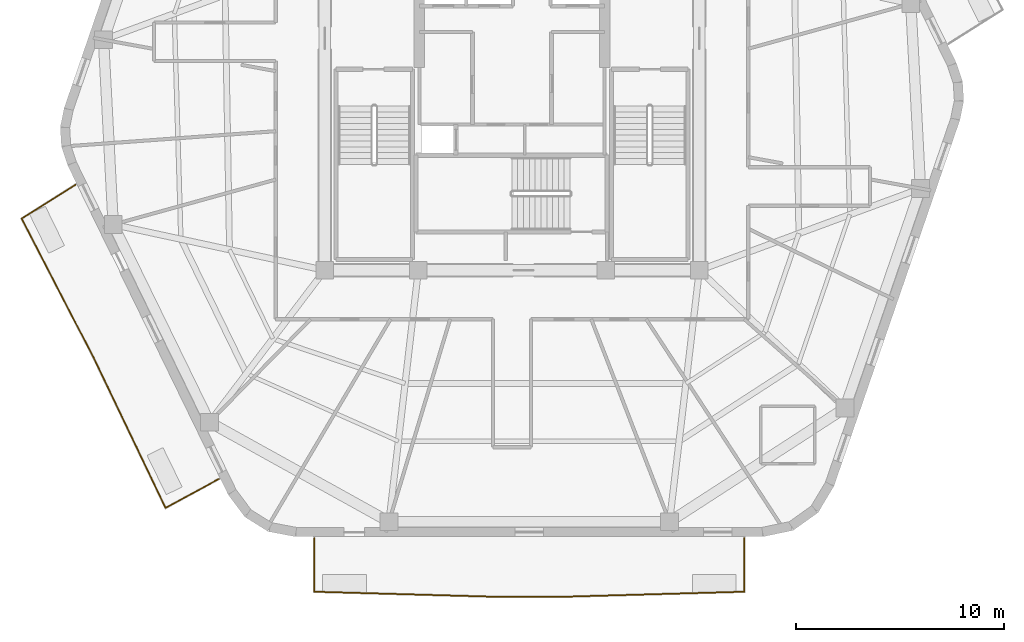
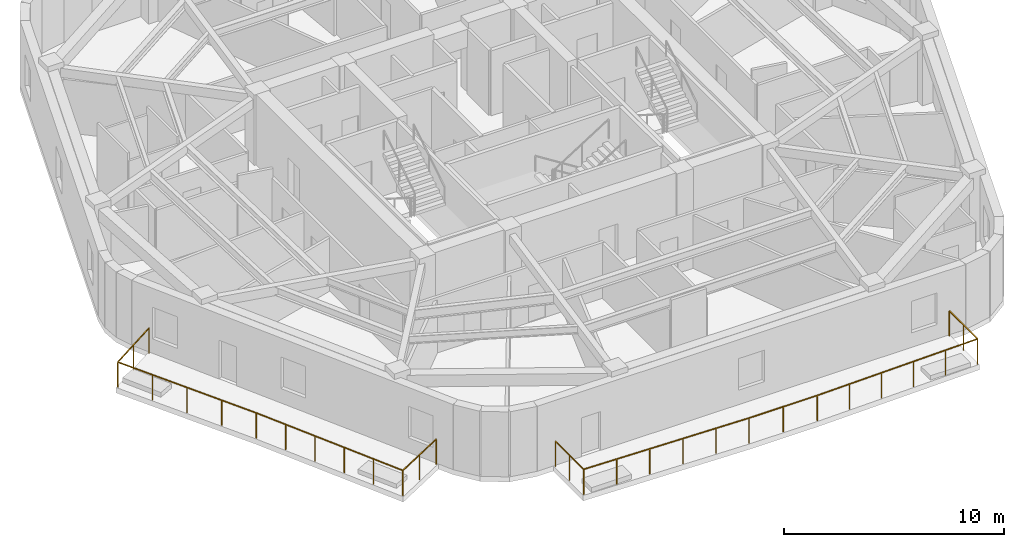
# One storey, part 7 of 9: 2 railings.
"""IFC4 building model written with IfcOpenShell, lengths in metres."""

from ifc_helpers import new_model, si_unit, direction, frame, origin, origin_2d, place, context, subcontext, project, spatial, rectangle, extrude, material, layer, layer_set, type_object, element, save


model = new_model("IFC4")

# Units and contexts
model_context = context("Model", 3, precision=1e-05, world=origin(), true_north=direction((0.0, 1.0)))
body_context = subcontext(model_context, "Body", "Model", "MODEL_VIEW")
ifc_project = project(units=[si_unit("LENGTHUNIT", "METRE"), si_unit("AREAUNIT", "SQUARE_METRE"), si_unit("VOLUMEUNIT", "CUBIC_METRE"), si_unit("PLANEANGLEUNIT", "RADIAN"), si_unit("MASSUNIT", "GRAM", prefix="KILO")], contexts=[model_context])

# Site, building, storey
site_placement = place(None, origin())
site = spatial("IfcSite", under=ifc_project, at=site_placement, CompositionType="ELEMENT")
building_placement = place(site_placement, origin())
building = spatial("IfcBuilding", under=site, at=building_placement, Name="Kilnhurst Terrace Hotel", CompositionType="ELEMENT")
storey_placement = place(building_placement, frame((0.0, 0.0, 280.800048828125)))
storey = spatial("IfcBuildingStorey", under=building, at=storey_placement, Name="L70", CompositionType="ELEMENT", Elevation=280.800048828125)

# Railings
ifc_material = material(Name="Laminated SentryGlas and Stainless Steel AISI 316L Balustrade", Category="steel")
ifc_layer = layer(ifc_material, 0.070068359375, Name="Laminated SentryGlas and Stainless Steel AISI 316L Balustrade")
ifc_layer_set = layer_set([ifc_layer], Name="Laminated SentryGlas and Stainless Steel AISI 316L Balustrade")
railing_type = type_object("IfcRailingType", Name="RLG-BAL-1420", PredefinedType="BALUSTRADE", material=ifc_layer_set)
railing_1_placement = place(storey_placement, frame((-14.089599609375, -17.52880859375, 0.0)))
element("IfcRailing", 1, at=railing_1_placement, inside=storey, type_object=railing_type, Name="L70 Exterior Terrace Guardrail BAL-L2A.1", PredefinedType="BALUSTRADE", context=body_context, shape_type="SweptSolid", body=[
    extrude(rectangle(XDim=0.048095703125, YDim=0.048095703125, at=origin_2d()), frame((0.0, 0.0, 1.39599609375), z_axis=(-0.878504936271, -0.477733269667, 0.0), x_axis=(0.477733269667, -0.878504936271, 0.0)), (0.0, 0.0, 1.0), 2.90576171875),
    extrude(rectangle(XDim=0.048095703125, YDim=0.048095703125, at=origin_2d()), frame((-2.552734375, -1.38818359375, 1.39599609375), z_axis=(-0.432219770894, 0.901768301532, 0.0), x_axis=(-0.901768301532, -0.432219770894, 0.0)), (0.0, 0.0, 1.0), 8.0576171875),
    extrude(rectangle(XDim=0.048095703125, YDim=0.048095703125, at=origin_2d()), frame((-6.035400390625, 5.8779296875, 1.39599609375), z_axis=(-0.496138938357, 0.868243142124, 0.0), x_axis=(-0.868243142124, -0.496138938357, 0.0)), (0.0, 0.0, 1.0), 0.001953125),
    extrude(rectangle(XDim=0.048095703125, YDim=0.048095703125, at=origin_2d()), frame((-6.036376953125, 5.879638671875, 1.39599609375), z_axis=(-0.459705000347, 0.888071682161, 0.0), x_axis=(-0.888071682161, -0.459705000347, 0.0)), (0.0, 0.0, 1.0), 7.46337890625),
    extrude(rectangle(XDim=0.048095703125, YDim=0.048095703125, at=origin_2d()), frame((-9.46728515625, 12.507568359375, 1.39599609375), z_axis=(0.845686755454, 0.533679596434, 0.0), x_axis=(-0.533679596434, 0.845686755454, 0.0)), (0.0, 0.0, 1.0), 3.048583984375),
    extrude(rectangle(XDim=0.0419921875, YDim=0.0419921875, at=origin_2d()), origin(), (0.0, 0.0, 1.0), 1.371826171875),
    extrude(rectangle(XDim=0.0419921875, YDim=0.0419921875, at=origin_2d()), frame((-1.2763671875, -0.694091796875, 0.0)), (0.0, 0.0, 1.0), 1.371826171875),
    extrude(rectangle(XDim=0.0419921875, YDim=0.0419921875, at=origin_2d()), frame((-2.552734375, -1.38818359375, 0.0)), (0.0, 0.0, 1.0), 1.371826171875),
    extrude(rectangle(XDim=0.0419921875, YDim=0.0419921875, at=origin_2d()), frame((-3.249267578125, 0.06494140625, 0.0)), (0.0, 0.0, 1.0), 1.371826171875),
    extrude(rectangle(XDim=0.0419921875, YDim=0.0419921875, at=origin_2d()), frame((-3.94580078125, 1.518310546875, 0.0)), (0.0, 0.0, 1.0), 1.371826171875),
    extrude(rectangle(XDim=0.0419921875, YDim=0.0419921875, at=origin_2d()), frame((-4.642333984375, 2.971435546875, 0.0)), (0.0, 0.0, 1.0), 1.371826171875),
    extrude(rectangle(XDim=0.0419921875, YDim=0.0419921875, at=origin_2d()), frame((-5.3388671875, 4.4248046875, 0.0)), (0.0, 0.0, 1.0), 1.371826171875),
    extrude(rectangle(XDim=0.0419921875, YDim=0.0419921875, at=origin_2d()), frame((-6.035400390625, 5.8779296875, 0.0)), (0.0, 0.0, 1.0), 1.371826171875),
    extrude(rectangle(XDim=0.0419921875, YDim=0.0419921875, at=origin_2d()), frame((-6.036376953125, 5.879638671875, 0.0)), (0.0, 0.0, 1.0), 1.371826171875),
    extrude(rectangle(XDim=0.0419921875, YDim=0.0419921875, at=origin_2d()), frame((-6.89404296875, 7.53662109375, 0.0)), (0.0, 0.0, 1.0), 1.371826171875),
    extrude(rectangle(XDim=0.0419921875, YDim=0.0419921875, at=origin_2d()), frame((-7.751953125, 9.193603515625, 0.0)), (0.0, 0.0, 1.0), 1.371826171875),
    extrude(rectangle(XDim=0.0419921875, YDim=0.0419921875, at=origin_2d()), frame((-8.609619140625, 10.8505859375, 0.0)), (0.0, 0.0, 1.0), 1.371826171875),
    extrude(rectangle(XDim=0.0419921875, YDim=0.0419921875, at=origin_2d()), frame((-9.46728515625, 12.507568359375, 0.0)), (0.0, 0.0, 1.0), 1.371826171875),
    extrude(rectangle(XDim=0.0419921875, YDim=0.0419921875, at=origin_2d()), frame((-8.17822265625, 13.321044921875, 0.0)), (0.0, 0.0, 1.0), 1.371826171875),
    extrude(rectangle(XDim=0.0419921875, YDim=0.0419921875, at=origin_2d()), frame((-6.88916015625, 14.134521484375, 0.0)), (0.0, 0.0, 1.0), 1.371826171875),
])
railing_2_placement = place(storey_placement, frame((11.151611328125, -20.3798828125, 0.0)))
element("IfcRailing", 2, at=railing_2_placement, inside=storey, type_object=railing_type, Name="L70 Exterior Terrace Guardrail BAL-L2B.1", PredefinedType="BALUSTRADE", context=body_context, shape_type="SweptSolid", body=[
    extrude(rectangle(XDim=0.048095703125, YDim=0.048095703125, at=origin_2d()), frame((0.0, 0.0, 1.39599609375), z_axis=(0.0, -1.0, 0.0), x_axis=(1.0, 0.0, 0.0)), (0.0, 0.0, 1.0), 2.561767578125),
    extrude(rectangle(XDim=0.048095703125, YDim=0.048095703125, at=origin_2d()), frame((0.0, -2.561767578125, 1.39599609375), z_axis=(-0.999610218954, -0.027917918323, 0.0), x_axis=(0.027917918323, -0.999610218954, 0.0)), (0.0, 0.0, 1.0), 8.53515625),
    extrude(rectangle(XDim=0.048095703125, YDim=0.048095703125, at=origin_2d()), frame((-8.53173828125, -2.800048828125, 1.39599609375), z_axis=(-1.0, 0.0, 0.0), x_axis=(0.0, -1.0, 0.0)), (0.0, 0.0, 1.0), 3.577880859375),
    extrude(rectangle(XDim=0.048095703125, YDim=0.048095703125, at=origin_2d()), frame((-12.109619140625, -2.800048828125, 1.39599609375), z_axis=(-0.999610218954, 0.027917918323, 0.0), x_axis=(-0.027917918323, -0.999610218954, 0.0)), (0.0, 0.0, 1.0), 8.53515625),
    extrude(rectangle(XDim=0.048095703125, YDim=0.048095703125, at=origin_2d()), frame((-20.641357421875, -2.561767578125, 1.39599609375), z_axis=(0.0, 1.0, 0.0), x_axis=(-1.0, 0.0, 0.0)), (0.0, 0.0, 1.0), 2.561767578125),
    extrude(rectangle(XDim=0.0419921875, YDim=0.0419921875, at=origin_2d()), origin(), (0.0, 0.0, 1.0), 1.371826171875),
    extrude(rectangle(XDim=0.0419921875, YDim=0.0419921875, at=origin_2d()), frame((0.0, -1.28076171875, 0.0)), (0.0, 0.0, 1.0), 1.371826171875),
    extrude(rectangle(XDim=0.0419921875, YDim=0.0419921875, at=origin_2d()), frame((0.0, -2.561767578125, 0.0)), (0.0, 0.0, 1.0), 1.371826171875),
    extrude(rectangle(XDim=0.0419921875, YDim=0.0419921875, at=origin_2d()), frame((-1.706298828125, -2.609375, 0.0)), (0.0, 0.0, 1.0), 1.371826171875),
    extrude(rectangle(XDim=0.0419921875, YDim=0.0419921875, at=origin_2d()), frame((-3.41259765625, -2.656982421875, 0.0)), (0.0, 0.0, 1.0), 1.371826171875),
    extrude(rectangle(XDim=0.0419921875, YDim=0.0419921875, at=origin_2d()), frame((-5.119140625, -2.704833984375, 0.0)), (0.0, 0.0, 1.0), 1.371826171875),
    extrude(rectangle(XDim=0.0419921875, YDim=0.0419921875, at=origin_2d()), frame((-6.825439453125, -2.75244140625, 0.0)), (0.0, 0.0, 1.0), 1.371826171875),
    extrude(rectangle(XDim=0.0419921875, YDim=0.0419921875, at=origin_2d()), frame((-8.53173828125, -2.800048828125, 0.0)), (0.0, 0.0, 1.0), 1.371826171875),
    extrude(rectangle(XDim=0.0419921875, YDim=0.0419921875, at=origin_2d()), frame((-10.32080078125, -2.800048828125, 0.0)), (0.0, 0.0, 1.0), 1.371826171875),
    extrude(rectangle(XDim=0.0419921875, YDim=0.0419921875, at=origin_2d()), frame((-12.109619140625, -2.800048828125, 0.0)), (0.0, 0.0, 1.0), 1.371826171875),
    extrude(rectangle(XDim=0.0419921875, YDim=0.0419921875, at=origin_2d()), frame((-13.81591796875, -2.75244140625, 0.0)), (0.0, 0.0, 1.0), 1.371826171875),
    extrude(rectangle(XDim=0.0419921875, YDim=0.0419921875, at=origin_2d()), frame((-15.522216796875, -2.704833984375, 0.0)), (0.0, 0.0, 1.0), 1.371826171875),
    extrude(rectangle(XDim=0.0419921875, YDim=0.0419921875, at=origin_2d()), frame((-17.228759765625, -2.656982421875, 0.0)), (0.0, 0.0, 1.0), 1.371826171875),
    extrude(rectangle(XDim=0.0419921875, YDim=0.0419921875, at=origin_2d()), frame((-18.93505859375, -2.609375, 0.0)), (0.0, 0.0, 1.0), 1.371826171875),
    extrude(rectangle(XDim=0.0419921875, YDim=0.0419921875, at=origin_2d()), frame((-20.641357421875, -2.561767578125, 0.0)), (0.0, 0.0, 1.0), 1.371826171875),
    extrude(rectangle(XDim=0.0419921875, YDim=0.0419921875, at=origin_2d()), frame((-20.641357421875, -1.28076171875, 0.0)), (0.0, 0.0, 1.0), 1.371826171875),
    extrude(rectangle(XDim=0.0419921875, YDim=0.0419921875, at=origin_2d()), frame((-20.641357421875, 0.0, 0.0)), (0.0, 0.0, 1.0), 1.371826171875),
])

save(model, "model.ifc")
